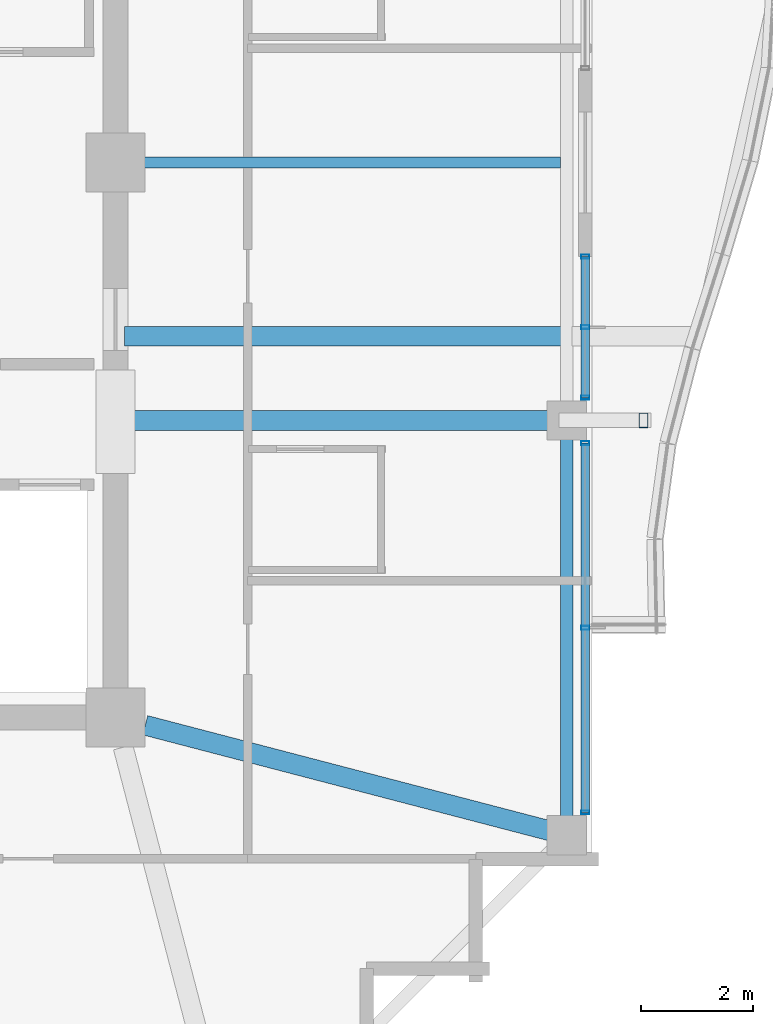
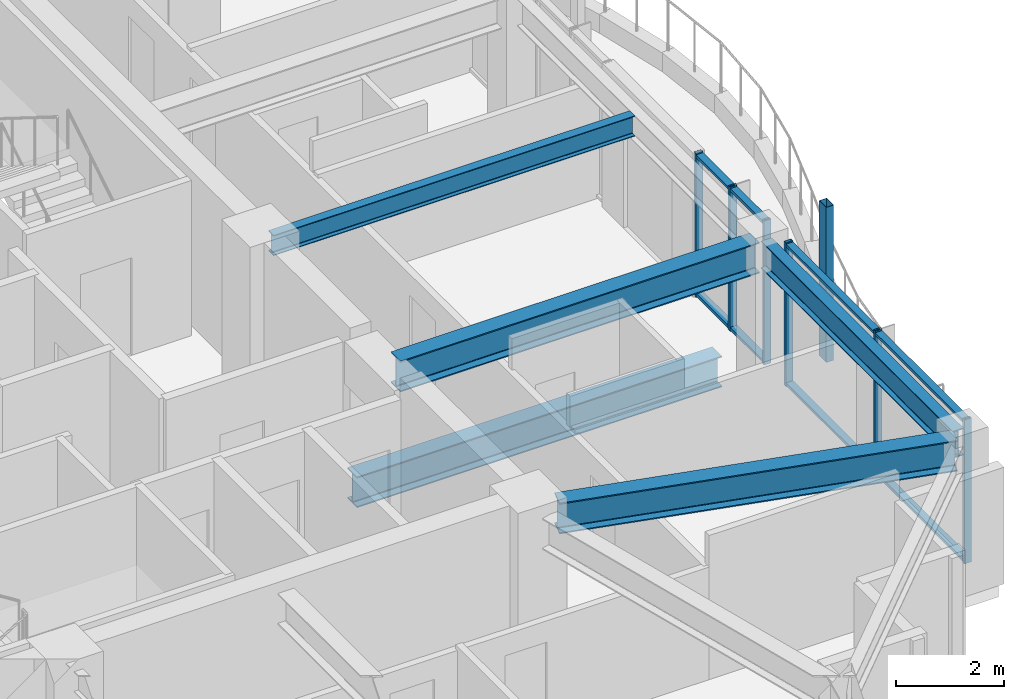
# One storey, part 11 of 29: 11 members, 5 beams, 2 elements without a shape of their own.
"""IFC4 building model written with IfcOpenShell, lengths in metres."""

from ifc_helpers import new_model, si_unit, direction, frame, origin, origin_2d, place, context, subcontext, project, spatial, hollow_rectangle, i_section, extrude, material, material_profile, profile_set, type_object, element, aggregate, save


model = new_model("IFC4")

# Units and contexts
model_context = context("Model", 3, precision=1e-05, world=origin(), true_north=direction((0.0, 1.0)))
body_context = subcontext(model_context, "Body", "Model", "MODEL_VIEW")
ifc_project = project(units=[si_unit("LENGTHUNIT", "METRE"), si_unit("AREAUNIT", "SQUARE_METRE"), si_unit("VOLUMEUNIT", "CUBIC_METRE"), si_unit("PLANEANGLEUNIT", "RADIAN"), si_unit("MASSUNIT", "GRAM", prefix="KILO")], contexts=[model_context])

# Site, building, storey
site_placement = place(None, origin())
site = spatial("IfcSite", under=ifc_project, at=site_placement, CompositionType="ELEMENT")
building_placement = place(site_placement, origin())
building = spatial("IfcBuilding", under=site, at=building_placement, Name="Kolvaren Belvedere", CompositionType="ELEMENT")
storey_placement = place(building_placement, frame((0.0, 0.0, 244.39990234375)))
storey = spatial("IfcBuildingStorey", under=building, at=storey_placement, Name="L71", CompositionType="ELEMENT", Elevation=244.39990234375)

# Beams
ifc_material_1 = material(Name="Structural steel ASTM A992 Grade 50", Category="steel")
ifc_material_profile_1 = material_profile(ifc_material_1, i_section(OverallWidth=0.35498046875, OverallDepth=0.696044921875, WebThickness=0.015380859375, FlangeThickness=0.02490234375, FilletRadius=0.02197265625, at=origin_2d()), Name="W27X146")
ifc_profile_set_1 = profile_set([ifc_material_profile_1], Name="Structural steel ASTM A992 Grade 50")
beam_type_1 = type_object("IfcBeamType", Name="BM-GIRD-W27X146", PredefinedType="BEAM", material=ifc_profile_set_1)
beam_1_placement = place(storey_placement, frame((10.06494140625, -3.10009765625, -0.597900390625), z_axis=(1.0, 0.0, 0.0), x_axis=(0.0, 1.0, 0.0)))
element("IfcBeam", 1, at=beam_1_placement, inside=storey, type_object=beam_type_1, Name="L71 Balcony Interior Back-Span Girder BAL-E-1", PredefinedType="BEAM", context=body_context, shape_type="SweptSolid", body=[
    extrude(i_section(OverallWidth=0.35498046875, OverallDepth=0.696044921875, WebThickness=0.015380859375, FlangeThickness=0.02490234375, FilletRadius=0.02197265625, at=origin_2d()), origin(), (0.0, 0.0, 1.0), 7.7900390625),
])
beam_2_placement = place(storey_placement, frame((10.125, -4.60009765625, 2.902099609375), z_axis=(1.0, 0.0, 0.0), x_axis=(0.0, 1.0, 0.0)))
element("IfcBeam", 2, at=beam_2_placement, inside=storey, type_object=beam_type_1, Name="L71 East Radial Girder M", PredefinedType="BEAM", context=body_context, shape_type="SweptSolid", body=[
    extrude(i_section(OverallWidth=0.35498046875, OverallDepth=0.696044921875, WebThickness=0.015380859375, FlangeThickness=0.02490234375, FilletRadius=0.02197265625, at=origin_2d()), origin(), (0.0, 0.0, 1.0), 7.66748046875),
])
beam_3_placement = place(storey_placement, frame((10.43212890625, -10.038818359375, 2.902099609375), z_axis=(0.967618631679, -0.25241668651, 0.0), x_axis=(0.25241668651, 0.967618631679, 0.0)))
element("IfcBeam", 3, at=beam_3_placement, inside=storey, type_object=beam_type_1, Name="L71 Corner Core-to-Perimeter Girder CC2-E1", PredefinedType="BEAM", context=body_context, shape_type="SweptSolid", body=[
    extrude(i_section(OverallWidth=0.35498046875, OverallDepth=0.696044921875, WebThickness=0.015380859375, FlangeThickness=0.02490234375, FilletRadius=0.02197265625, at=origin_2d()), origin(), (0.0, 0.0, 1.0), 7.62939453125),
])
ifc_material_2 = material(Name="Structural steel ASTM A992 Grade 50", Category="steel")
ifc_material_profile_2 = material_profile(ifc_material_2, i_section(OverallWidth=0.19091796875, OverallDepth=0.4599609375, WebThickness=0.010009765625, FlangeThickness=0.01611328125, FilletRadius=0.014892578125, at=origin_2d()), Name="W18X55")
ifc_profile_set_2 = profile_set([ifc_material_profile_2], Name="Structural steel ASTM A992 Grade 50")
beam_type_2 = type_object("IfcBeamType", Name="BM-JOIST-W18X55", PredefinedType="BEAM", material=ifc_profile_set_2)
beam_4_placement = place(storey_placement, frame((10.125, 0.0, 3.02001953125), z_axis=(1.0, 0.0, 0.0), x_axis=(0.0, 1.0, 0.0)))
element("IfcBeam", 4, at=beam_4_placement, inside=storey, type_object=beam_type_2, Name="L71 East Centre Floor Beam", PredefinedType="BEAM", context=body_context, shape_type="SweptSolid", body=[
    extrude(i_section(OverallWidth=0.19091796875, OverallDepth=0.4599609375, WebThickness=0.010009765625, FlangeThickness=0.01611328125, FilletRadius=0.014892578125, at=origin_2d()), origin(), (0.0, 0.0, 1.0), 7.71044921875),
])
ifc_material_3 = material(Name="Structural steel ASTM A992 Grade 50", Category="steel")
ifc_material_profile_3 = material_profile(ifc_material_3, i_section(OverallWidth=0.22900390625, OverallDepth=0.612060546875, WebThickness=0.011962890625, FlangeThickness=0.01953125, FilletRadius=0.01806640625, at=origin_2d()), Name="W24X84")
ifc_profile_set_3 = profile_set([ifc_material_profile_3], Name="Structural steel ASTM A992 Grade 50")
beam_type_3 = type_object("IfcBeamType", Name="BM-SPAN-W24X84", PredefinedType="SPANDREL", material=ifc_profile_set_3)
beam_5_placement = place(storey_placement, frame((17.949951171875, -11.842529296875, 2.944091796875), z_axis=(0.0, 1.0, 0.0), x_axis=(-1.0, 0.0, 0.0)))
element("IfcBeam", 5, at=beam_5_placement, inside=storey, type_object=beam_type_3, Name="L71 Perimeter Spandrel E1-E2", PredefinedType="SPANDREL", context=body_context, shape_type="SweptSolid", body=[
    extrude(i_section(OverallWidth=0.22900390625, OverallDepth=0.612060546875, WebThickness=0.011962890625, FlangeThickness=0.01953125, FilletRadius=0.01806640625, at=origin_2d()), origin(), (0.0, 0.0, 1.0), 7.0849609375),
])

# Curtain wall, members
ifc_material_4 = material(Name="Anodised pale-metal aluminium AA 6063-T6", Category="aluminium")
curtain_wall_type = type_object("IfcCurtainWallType", Name="CW-Z5-HIGH", PredefinedType="NOTDEFINED", material=ifc_material_4)
curtain_wall_1_placement = place(storey_placement, origin())
curtain_wall_1 = element("IfcCurtainWall", 6, at=curtain_wall_1_placement, inside=storey, type_object=curtain_wall_type, Name="L71 Unitised Curtain Wall FCW-L71-E2-B1", PredefinedType="NOTDEFINED")
ifc_material_5 = material(Name="Anodised pale-metal aluminium AA 6063-T6", Category="aluminium")
ifc_material_profile_4 = material_profile(ifc_material_5, hollow_rectangle(XDim=0.070068359375, YDim=0.14990234375, WallThickness=0.004150390625, at=origin_2d()), Name="ALU-MUL-150X70")
ifc_profile_set_4 = profile_set([ifc_material_profile_4], Name="Anodised pale-metal aluminium AA 6063-T6")
member_type_1 = type_object("IfcMemberType", Name="CW-MUL-150", PredefinedType="MULLION", material=ifc_profile_set_4)
member_1_placement = place(storey_placement, frame((18.280029296875, -1.679931640625, 0.0), z_axis=(0.0, 0.0, 1.0), x_axis=(0.0, 1.0, 0.0)))
member_1 = element("IfcMember", 7, at=member_1_placement, type_object=member_type_1, Name="FCW-L71-E2-B1 Unitised Mullion 1", PredefinedType="MULLION", context=body_context, shape_type="SweptSolid", body=[
    extrude(hollow_rectangle(XDim=0.070068359375, YDim=0.14990234375, WallThickness=0.004150390625, at=origin_2d()), origin(), (0.0, 0.0, 1.0), 3.25),
])
member_2_placement = place(storey_placement, frame((18.280029296875, -2.9375, 0.0), z_axis=(0.0, 0.0, 1.0), x_axis=(0.0, 1.0, 0.0)))
member_2 = element("IfcMember", 8, at=member_2_placement, type_object=member_type_1, Name="FCW-L71-E2-B1 Unitised Mullion 2", PredefinedType="MULLION", context=body_context, shape_type="SweptSolid", body=[
    extrude(hollow_rectangle(XDim=0.070068359375, YDim=0.14990234375, WallThickness=0.004150390625, at=origin_2d()), origin(), (0.0, 0.0, 1.0), 3.25),
])
member_3_placement = place(storey_placement, frame((18.280029296875, -4.195068359375, 0.0), z_axis=(0.0, 0.0, 1.0), x_axis=(0.0, 1.0, 0.0)))
member_3 = element("IfcMember", 9, at=member_3_placement, type_object=member_type_1, Name="FCW-L71-E2-B1 Unitised Mullion 3", PredefinedType="MULLION", context=body_context, shape_type="SweptSolid", body=[
    extrude(hollow_rectangle(XDim=0.070068359375, YDim=0.14990234375, WallThickness=0.004150390625, at=origin_2d()), origin(), (0.0, 0.0, 1.0), 3.25),
])

curtain_wall_2_placement = place(storey_placement, origin())
curtain_wall_2 = element("IfcCurtainWall", 10, at=curtain_wall_2_placement, inside=storey, type_object=curtain_wall_type, Name="L71 Unitised Curtain Wall FCW-L71-E2-B2", PredefinedType="NOTDEFINED")
member_4_placement = place(storey_placement, frame((18.280029296875, -5.0048828125, 0.0), z_axis=(0.0, 0.0, 1.0), x_axis=(0.0, 1.0, 0.0)))
member_4 = element("IfcMember", 11, at=member_4_placement, type_object=member_type_1, Name="FCW-L71-E2-B2 Unitised Mullion 1", PredefinedType="MULLION", context=body_context, shape_type="SweptSolid", body=[
    extrude(hollow_rectangle(XDim=0.070068359375, YDim=0.14990234375, WallThickness=0.004150390625, at=origin_2d()), origin(), (0.0, 0.0, 1.0), 3.25),
])
member_5_placement = place(storey_placement, frame((18.280029296875, -8.300048828125, 0.0), z_axis=(0.0, 0.0, 1.0), x_axis=(0.0, 1.0, 0.0)))
member_5 = element("IfcMember", 12, at=member_5_placement, type_object=member_type_1, Name="FCW-L71-E2-B2 Unitised Mullion 2", PredefinedType="MULLION", context=body_context, shape_type="SweptSolid", body=[
    extrude(hollow_rectangle(XDim=0.070068359375, YDim=0.14990234375, WallThickness=0.004150390625, at=origin_2d()), origin(), (0.0, 0.0, 1.0), 3.25),
])
member_6_placement = place(storey_placement, frame((18.280029296875, -11.594970703125, 0.0), z_axis=(0.0, 0.0, 1.0), x_axis=(0.0, 1.0, 0.0)))
member_6 = element("IfcMember", 13, at=member_6_placement, type_object=member_type_1, Name="FCW-L71-E2-B2 Unitised Mullion 3", PredefinedType="MULLION", context=body_context, shape_type="SweptSolid", body=[
    extrude(hollow_rectangle(XDim=0.070068359375, YDim=0.14990234375, WallThickness=0.004150390625, at=origin_2d()), origin(), (0.0, 0.0, 1.0), 3.25),
])

# Member
ifc_material_6 = material(Name="Anodised pale-metal aluminium AA 6063-T6", Category="aluminium")
ifc_material_profile_5 = material_profile(ifc_material_6, hollow_rectangle(XDim=0.06494140625, YDim=0.14990234375, WallThickness=0.00390625, at=origin_2d()), Name="ALU-TRN-150X65")
ifc_profile_set_5 = profile_set([ifc_material_profile_5], Name="Anodised pale-metal aluminium AA 6063-T6")
member_type_2 = type_object("IfcMemberType", Name="CW-TRN-150", PredefinedType="USERDEFINED", material=ifc_profile_set_5)
member_7_placement = place(storey_placement, frame((18.280029296875, -1.679931640625, 0.06005859375), z_axis=(0.0, -1.0, 0.0), x_axis=(0.0, 0.0, 1.0)))
member_7 = element("IfcMember", 14, at=member_7_placement, type_object=member_type_2, Name="FCW-L71-E2-B1 Sill Transom", ObjectType="TRANSOM", PredefinedType="USERDEFINED", context=body_context, shape_type="SweptSolid", body=[
    extrude(hollow_rectangle(XDim=0.06494140625, YDim=0.14990234375, WallThickness=0.00390625, at=origin_2d()), origin(), (0.0, 0.0, 1.0), 2.51513671875),
])

member_8_placement = place(storey_placement, frame((18.280029296875, -1.679931640625, 3.190185546875), z_axis=(0.0, -1.0, 0.0), x_axis=(0.0, 0.0, 1.0)))
member_8 = element("IfcMember", 15, at=member_8_placement, type_object=member_type_2, Name="FCW-L71-E2-B1 Head Transom", ObjectType="TRANSOM", PredefinedType="USERDEFINED", context=body_context, shape_type="SweptSolid", body=[
    extrude(hollow_rectangle(XDim=0.06494140625, YDim=0.14990234375, WallThickness=0.00390625, at=origin_2d()), origin(), (0.0, 0.0, 1.0), 2.51513671875),
])

aggregate(curtain_wall_1, [member_1, member_2, member_3, member_7, member_8])

member_9_placement = place(storey_placement, frame((18.280029296875, -5.0048828125, 0.06005859375), z_axis=(0.0, -1.0, 0.0), x_axis=(0.0, 0.0, 1.0)))
member_9 = element("IfcMember", 16, at=member_9_placement, type_object=member_type_2, Name="FCW-L71-E2-B2 Sill Transom", ObjectType="TRANSOM", PredefinedType="USERDEFINED", context=body_context, shape_type="SweptSolid", body=[
    extrude(hollow_rectangle(XDim=0.06494140625, YDim=0.14990234375, WallThickness=0.00390625, at=origin_2d()), origin(), (0.0, 0.0, 1.0), 6.590087890625),
])

member_10_placement = place(storey_placement, frame((18.280029296875, -5.0048828125, 3.190185546875), z_axis=(0.0, -1.0, 0.0), x_axis=(0.0, 0.0, 1.0)))
member_10 = element("IfcMember", 17, at=member_10_placement, type_object=member_type_2, Name="FCW-L71-E2-B2 Head Transom", ObjectType="TRANSOM", PredefinedType="USERDEFINED", context=body_context, shape_type="SweptSolid", body=[
    extrude(hollow_rectangle(XDim=0.06494140625, YDim=0.14990234375, WallThickness=0.00390625, at=origin_2d()), origin(), (0.0, 0.0, 1.0), 6.590087890625),
])

aggregate(curtain_wall_2, [member_4, member_5, member_6, member_9, member_10])

ifc_material_7 = material(Name="Anodised pale-metal aluminium AA 6063-T6", Category="aluminium")
ifc_material_profile_6 = material_profile(ifc_material_7, hollow_rectangle(XDim=0.159912109375, YDim=0.260009765625, WallThickness=0.006591796875, at=origin_2d()), Name="ALU-PF-260X160")
ifc_profile_set_6 = profile_set([ifc_material_profile_6], Name="Anodised pale-metal aluminium AA 6063-T6")
member_type_3 = type_object("IfcMemberType", Name="PF-FRAME-260", PredefinedType="USERDEFINED", material=ifc_profile_set_6)
member_11_placement = place(storey_placement, frame((19.320068359375, -4.60009765625, 0.0), z_axis=(0.0, 0.0, 1.0), x_axis=(1.0, 0.0, 0.0)))
element("IfcMember", 18, at=member_11_placement, inside=storey, type_object=member_type_3, Name="L71 Outboard Picture-Frame Vertical E2", ObjectType="PICTURE FRAME FIN", PredefinedType="USERDEFINED", context=body_context, shape_type="SweptSolid", body=[
    extrude(hollow_rectangle(XDim=0.159912109375, YDim=0.260009765625, WallThickness=0.006591796875, at=origin_2d()), origin(), (0.0, 0.0, 1.0), 3.5),
])

save(model, "model.ifc")
